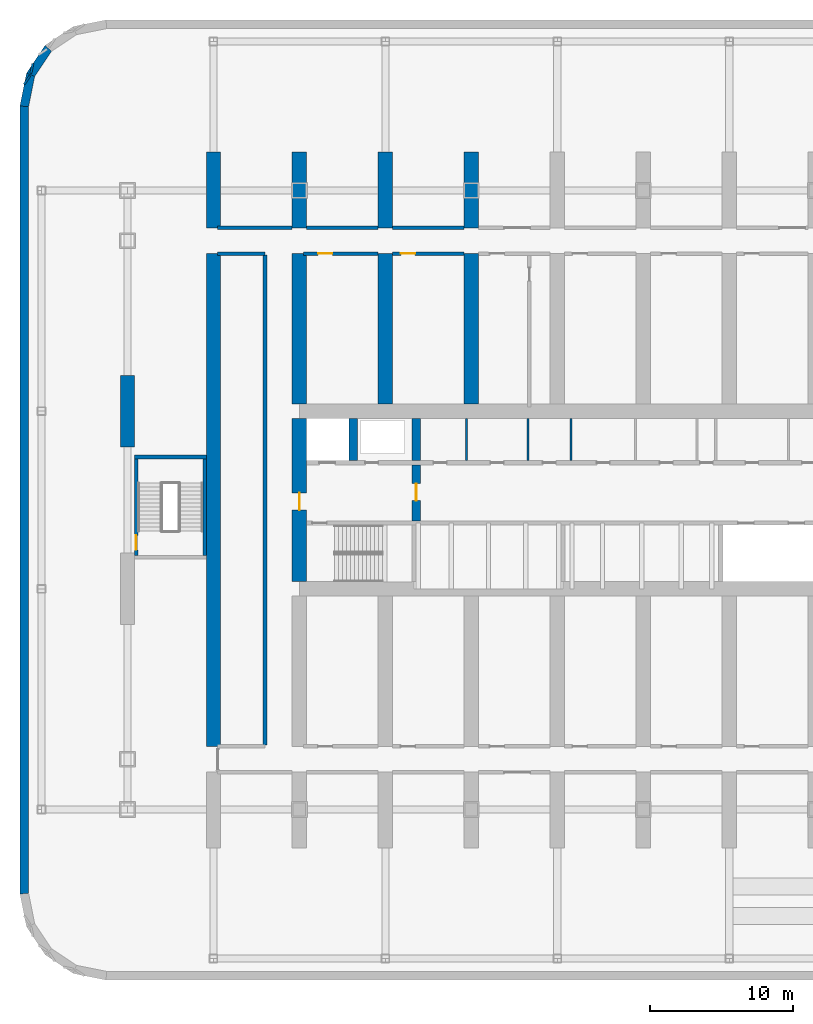
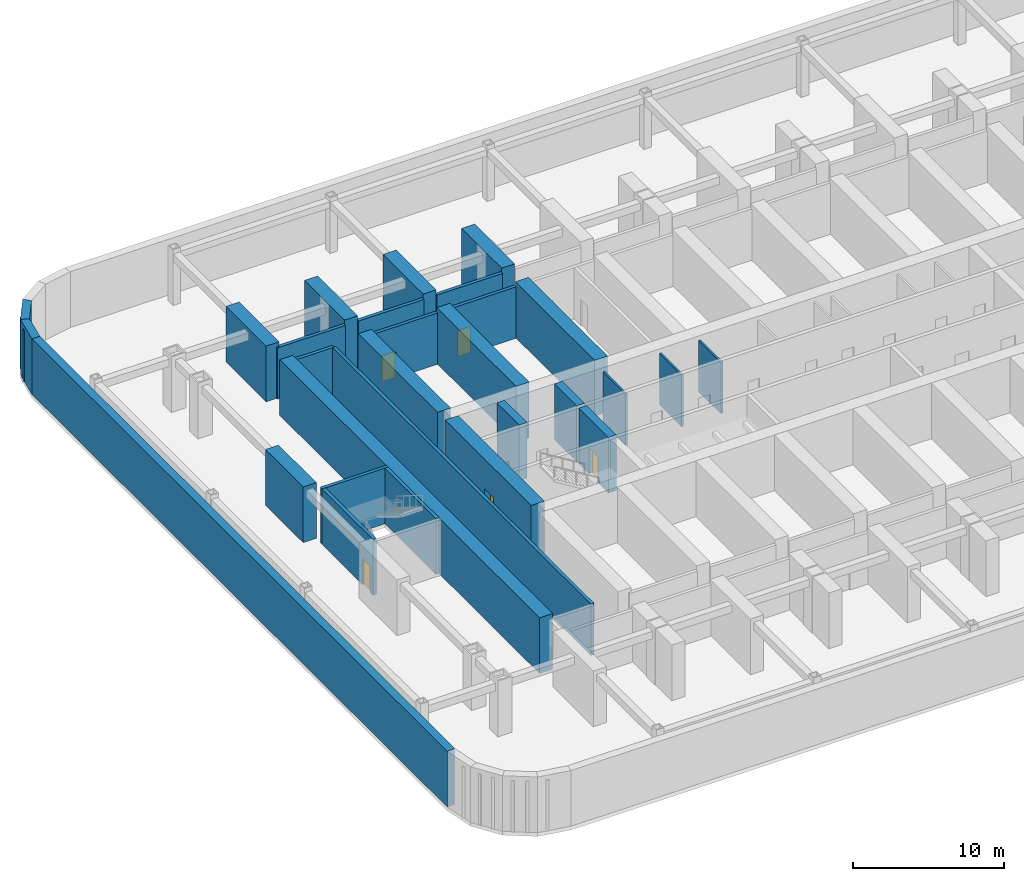
# One storey, part 4 of 16: 31 walls, 5 doors, 5 openings.
"""IFC4 building model written with IfcOpenShell, lengths in metres."""

from ifc_helpers import new_model, si_unit, direction, frame, frame_2d, origin, place, context, subcontext, project, spatial, polyline, rectangle, outline, extrude, material, layer, layer_set, type_object, element, fill, save


model = new_model("IFC4")

# Units and contexts
model_context = context("Model", 3, precision=1e-05, world=origin(), true_north=direction((0.0, 1.0)))
body_context = subcontext(model_context, "Body", "Model", "MODEL_VIEW")
ifc_project = project(units=[si_unit("LENGTHUNIT", "METRE"), si_unit("AREAUNIT", "SQUARE_METRE"), si_unit("VOLUMEUNIT", "CUBIC_METRE"), si_unit("PLANEANGLEUNIT", "RADIAN"), si_unit("MASSUNIT", "GRAM", prefix="KILO")], contexts=[model_context])

# Site, building, storey
site_placement = place(None, origin())
site = spatial("IfcSite", under=ifc_project, at=site_placement, CompositionType="ELEMENT")
building_placement = place(site_placement, origin())
building = spatial("IfcBuilding", under=site, at=building_placement, Name="Orbita Commons", CompositionType="ELEMENT")
storey_placement = place(building_placement, frame((0.0, 0.0, -4.5)))
storey = spatial("IfcBuildingStorey", under=building, at=storey_placement, Name="L-01", CompositionType="ELEMENT", Elevation=-4.5)

# Walls
ifc_material_1 = material(Name="Concrete blockwork", Category="masonry")
ifc_layer_1 = layer(ifc_material_1, 0.25)
ifc_layer_set_1 = layer_set([ifc_layer_1], Name="Concrete blockwork")
wall_type_1 = type_object("IfcWallType", Name="Basement wall 250 blockwork", PredefinedType="SOLIDWALL", material=ifc_layer_set_1)
wall_1_placement = place(storey_placement, frame((12.300048828125, 51.0, 0.0), z_axis=(0.0, 0.0, 1.0), x_axis=(1.0, 0.0, 0.0)))
element("IfcWall", 1, at=wall_1_placement, inside=storey, type_object=wall_type_1, Name="Basement wall 250 blockwork L-01", PredefinedType="SOLIDWALL", context=body_context, shape_type="SweptSolid", body=[
    extrude(rectangle(XDim=5.199951171875, YDim=0.25, at=frame_2d((2.60009765625, 0.0))), origin(), (0.0, 0.0, 1.0), 4.14990234375),
])
for number, where, z_axis, x_axis, name in (
    (2, (18.5, 51.0, 0.0), (0.0, 0.0, 1.0), (1.0, 0.0, 0.0), "Basement wall 250 blockwork L-01"),
    (3, (24.5, 51.0, 0.0), (0.0, 0.0, 1.0), (1.0, 0.0, 0.0), "Basement wall 250 blockwork L-01"),
):
    element("IfcWall", number, at=place(storey_placement, frame(where, z_axis=z_axis, x_axis=x_axis)), inside=storey, type_object=wall_type_1, Name=name, PredefinedType="SOLIDWALL", context=body_context, shape_type="SweptSolid", body=[
        extrude(rectangle(XDim=5.0, YDim=0.25, at=frame_2d((2.5, 0.0))), origin(), (0.0, 0.0, 1.0), 4.14990234375),
    ])
wall_2_placement = place(storey_placement, frame((12.300048828125, 49.199951171875, 0.0), z_axis=(0.0, 0.0, 1.0), x_axis=(1.0, 0.0, 0.0)))
element("IfcWall", 4, at=wall_2_placement, inside=storey, type_object=wall_type_1, Name="Basement wall 250 blockwork L-01", PredefinedType="SOLIDWALL", context=body_context, shape_type="SweptSolid", body=[
    extrude(rectangle(XDim=3.300048828125, YDim=0.25, at=frame_2d((1.64990234375, 0.0))), origin(), (0.0, 0.0, 1.0), 4.14990234375),
])
wall_3_placement = place(storey_placement, frame((15.60009765625, 14.89990234375, 0.0), z_axis=(0.0, 0.0, 1.0), x_axis=(0.0, 1.0, 0.0)))
element("IfcWall", 5, at=wall_3_placement, inside=storey, type_object=wall_type_1, Name="Basement wall 250 blockwork L-01", PredefinedType="SOLIDWALL", context=body_context, shape_type="SweptSolid", body=[
    extrude(rectangle(XDim=34.2001953125, YDim=0.25, at=frame_2d((17.10009765625, 0.0))), origin(), (0.0, 0.0, 1.0), 4.14990234375),
])

# Wall, opening, door
wall_4_placement = place(storey_placement, frame((18.300048828125, 49.199951171875, 0.0), z_axis=(0.0, 0.0, 1.0), x_axis=(1.0, 0.0, 0.0)))
wall_4 = element("IfcWall", 6, at=wall_4_placement, inside=storey, type_object=wall_type_1, Name="Basement wall 250 blockwork L-01", PredefinedType="SOLIDWALL", context=body_context, shape_type="SweptSolid", body=[
    extrude(rectangle(XDim=5.199951171875, YDim=0.25, at=frame_2d((2.60009765625, 0.0))), origin(), (0.0, 0.0, 1.0), 4.14990234375),
])
opening_1_placement = place(wall_4_placement, frame((1.0, 0.0, 0.0)))
opening_1 = element("IfcOpeningElement", 7, at=opening_1_placement, cuts=wall_4, Name="Opening D06", PredefinedType="OPENING", context=body_context, shape_type="SweptSolid", body=[
    extrude(rectangle(XDim=1.0, YDim=2.10009765625, at=frame_2d((0.5, 1.050048828125))), frame((0.0, 0.135009765625, 0.0), z_axis=(0.0, -1.0, 0.0), x_axis=(1.0, 0.0, 0.0)), (0.0, 0.0, 1.0), 0.27001953125),
])
ifc_material_2 = material(Name="Steel-faced fire door leaf", Category="steel")
door_type_1 = type_object("IfcDoorType", Name="Corridor door 20 min 1000x2100", OperationType="SINGLE_SWING_LEFT", PredefinedType="DOOR", material=ifc_material_2)
door_1_placement = place(opening_1_placement, origin())
door_1 = element("IfcDoor", 8, at=door_1_placement, inside=storey, type_object=door_type_1, Name="Room door", OperationType="SINGLE_SWING_LEFT", OverallHeight=2.10009765625, OverallWidth=1.0, PredefinedType="DOOR", context=body_context, shape_type="SweptSolid", body=[
    extrude(rectangle(XDim=1.0, YDim=2.10009765625, at=frame_2d((0.5, 1.050048828125))), frame((0.0, 0.02490234375, 0.0), z_axis=(0.0, -1.0, 0.0), x_axis=(1.0, 0.0, 0.0)), (0.0, 0.0, 1.0), 0.050048828125),
])
fill(opening_1, door_1)

wall_5_placement = place(storey_placement, frame((24.5, 49.199951171875, 0.0), z_axis=(0.0, 0.0, 1.0), x_axis=(1.0, 0.0, 0.0)))
wall_5 = element("IfcWall", 9, at=wall_5_placement, inside=storey, type_object=wall_type_1, Name="Basement wall 250 blockwork L-01", PredefinedType="SOLIDWALL", context=body_context, shape_type="SweptSolid", body=[
    extrude(rectangle(XDim=5.0, YDim=0.25, at=frame_2d((2.5, 0.0))), origin(), (0.0, 0.0, 1.0), 4.14990234375),
])
opening_2_placement = place(wall_5_placement, frame((0.574951171875, 0.0, 0.0)))
opening_2 = element("IfcOpeningElement", 10, at=opening_2_placement, cuts=wall_5, Name="Opening D06", PredefinedType="OPENING", context=body_context, shape_type="SweptSolid", body=[
    extrude(rectangle(XDim=1.0, YDim=2.10009765625, at=frame_2d((0.5, 1.050048828125))), frame((0.0, 0.135009765625, 0.0), z_axis=(0.0, -1.0, 0.0), x_axis=(1.0, 0.0, 0.0)), (0.0, 0.0, 1.0), 0.27001953125),
])
door_2_placement = place(opening_2_placement, origin())
door_2 = element("IfcDoor", 11, at=door_2_placement, inside=storey, type_object=door_type_1, Name="Room door", OperationType="SINGLE_SWING_LEFT", OverallHeight=2.10009765625, OverallWidth=1.0, PredefinedType="DOOR", context=body_context, shape_type="SweptSolid", body=[
    extrude(rectangle(XDim=1.0, YDim=2.10009765625, at=frame_2d((0.5, 1.050048828125))), frame((0.0, 0.02490234375, 0.0), z_axis=(0.0, -1.0, 0.0), x_axis=(1.0, 0.0, 0.0)), (0.0, 0.0, 1.0), 0.050048828125),
])
fill(opening_2, door_2)

ifc_material_3 = material(Name="Concrete C50/60", Category="concrete")
ifc_layer_2 = layer(ifc_material_3, 0.60009765625)
ifc_layer_set_2 = layer_set([ifc_layer_2], Name="Concrete C50/60")
wall_type_2 = type_object("IfcWallType", Name="Core inner wall 600 C50/60", PredefinedType="SHEAR", material=ifc_layer_set_2)
wall_6_placement = place(storey_placement, frame((26.14990234375, 30.550048828125, 0.0), z_axis=(0.0, 0.0, 1.0), x_axis=(0.0, 1.0, 0.0)))
wall_6 = element("IfcWall", 12, at=wall_6_placement, inside=storey, type_object=wall_type_2, Name="Firefighting lobby wall west L-01", PredefinedType="SHEAR", context=body_context, shape_type="SweptSolid", body=[
    extrude(rectangle(XDim=3.89990234375, YDim=0.60009765625, at=frame_2d((1.949951171875, 0.0))), origin(), (0.0, 0.0, 1.0), 4.5),
])
opening_3_placement = place(wall_6_placement, frame((1.39990234375, 0.0, 0.0)))
opening_3 = element("IfcOpeningElement", 13, at=opening_3_placement, cuts=wall_6, Name="Opening D04", PredefinedType="OPENING", context=body_context, shape_type="SweptSolid", body=[
    extrude(rectangle(XDim=1.199951171875, YDim=2.10009765625, at=frame_2d((0.60009765625, 1.050048828125))), frame((0.0, 0.31005859375, 0.0), z_axis=(0.0, -1.0, 0.0), x_axis=(1.0, 0.0, 0.0)), (0.0, 0.0, 1.0), 0.6201171875),
])
ifc_material_4 = material(Name="Steel-faced fire door leaf", Category="steel")
door_type_2 = type_object("IfcDoorType", Name="Service door 20 min 1200x2100", OperationType="SINGLE_SWING_LEFT", PredefinedType="DOOR", material=ifc_material_4)
door_3_placement = place(opening_3_placement, origin())
door_3 = element("IfcDoor", 14, at=door_3_placement, inside=storey, type_object=door_type_2, Name="Lift lobby door west", OperationType="SINGLE_SWING_LEFT", OverallHeight=2.10009765625, OverallWidth=1.199951171875, PredefinedType="DOOR", context=body_context, shape_type="SweptSolid", body=[
    extrude(rectangle(XDim=1.199951171875, YDim=2.10009765625, at=frame_2d((0.60009765625, 1.050048828125))), frame((0.0, 0.02490234375, 0.0), z_axis=(0.0, -1.0, 0.0), x_axis=(1.0, 0.0, 0.0)), (0.0, 0.0, 1.0), 0.050048828125),
])
fill(opening_3, door_3)

# Walls
for number, where, z_axis, x_axis, name in (
    (15, (21.75, 34.75, 0.0), (0.0, 0.0, 1.0), (0.0, 1.0, 0.0), "Firefighting lift FL1 shaft wall L-01"),
    (16, (26.14990234375, 34.75, 0.0), (0.0, 0.0, 1.0), (0.0, 1.0, 0.0), "Riser wall west L-01"),
):
    element("IfcWall", number, at=place(storey_placement, frame(where, z_axis=z_axis, x_axis=x_axis)), inside=storey, type_object=wall_type_2, Name=name, PredefinedType="SHEAR", context=body_context, shape_type="SweptSolid", body=[
        extrude(rectangle(XDim=2.949951171875, YDim=0.60009765625, at=frame_2d((1.47509765625, 0.0))), origin(), (0.0, 0.0, 1.0), 4.5),
    ])
ifc_material_5 = material(Name="Concrete blockwork", Category="masonry")
ifc_layer_3 = layer(ifc_material_5, 0.14990234375)
ifc_layer_set_3 = layer_set([ifc_layer_3], Name="Concrete blockwork")
wall_type_3 = type_object("IfcWallType", Name="Core partition 150 blockwork", PredefinedType="SOLIDWALL", material=ifc_layer_set_3)
for number, where, z_axis, x_axis, name in (
    (17, (29.65087890625, 34.75, 0.0), (0.0, 0.0, 1.0), (0.0, 1.0, 0.0), "Core partition 150 blockwork L-01"),
    (18, (33.9462890625, 34.75, 0.0), (0.0, 0.0, 1.0), (0.0, 1.0, 0.0), "Core partition 150 blockwork L-01"),
    (19, (36.9462890625, 34.75, 0.0), (0.0, 0.0, 1.0), (0.0, 1.0, 0.0), "Core partition 150 blockwork L-01"),
):
    element("IfcWall", number, at=place(storey_placement, frame(where, z_axis=z_axis, x_axis=x_axis)), inside=storey, type_object=wall_type_3, Name=name, PredefinedType="SOLIDWALL", context=body_context, shape_type="SweptSolid", body=[
        extrude(rectangle(XDim=2.949951171875, YDim=0.14990234375, at=frame_2d((1.47509765625, 0.0))), origin(), (0.0, 0.0, 1.0), 4.14990234375),
    ])

# Wall, opening, door
ifc_material_6 = material(Name="Concrete C50/60", Category="concrete")
ifc_layer_4 = layer(ifc_material_6, 1.0)
ifc_layer_set_4 = layer_set([ifc_layer_4], Name="Concrete C50/60")
wall_type_4 = type_object("IfcWallType", Name="Core wall 1000 C50/60", PredefinedType="SHEAR", material=ifc_layer_set_4)
wall_7_placement = place(storey_placement, frame((18.0, 26.300048828125, 0.0), z_axis=(0.0, 0.0, 1.0), x_axis=(0.0, 1.0, 0.0)))
wall_7 = element("IfcWall", 20, at=wall_7_placement, inside=storey, type_object=wall_type_4, Name="Core end wall west L-01", PredefinedType="SHEAR", context=body_context, shape_type="SweptSolid", body=[
    extrude(rectangle(XDim=11.39990234375, YDim=1.0, at=frame_2d((5.699951171875, 0.0))), origin(), (0.0, 0.0, 1.0), 4.5),
])
opening_4_placement = place(wall_7_placement, frame((5.0, 0.0, 0.0)))
opening_4 = element("IfcOpeningElement", 21, at=opening_4_placement, cuts=wall_7, Name="Opening D01", PredefinedType="OPENING", context=body_context, shape_type="SweptSolid", body=[
    extrude(rectangle(XDim=1.199951171875, YDim=2.10009765625, at=frame_2d((0.60009765625, 1.050048828125))), frame((0.0, 0.510009765625, 0.0), z_axis=(0.0, -1.0, 0.0), x_axis=(1.0, 0.0, 0.0)), (0.0, 0.0, 1.0), 1.02001953125),
])
ifc_material_7 = material(Name="Steel-faced fire door leaf", Category="steel")
door_type_3 = type_object("IfcDoorType", Name="Fire door 90 min 1200x2100", OperationType="SINGLE_SWING_LEFT", PredefinedType="DOOR", material=ifc_material_7)
door_4_placement = place(opening_4_placement, origin())
door_4 = element("IfcDoor", 22, at=door_4_placement, inside=storey, type_object=door_type_3, Name="Firefighting lobby west door", OperationType="SINGLE_SWING_LEFT", OverallHeight=2.10009765625, OverallWidth=1.199951171875, PredefinedType="DOOR", context=body_context, shape_type="SweptSolid", body=[
    extrude(rectangle(XDim=1.199951171875, YDim=2.10009765625, at=frame_2d((0.60009765625, 1.050048828125))), frame((0.0, 0.02490234375, 0.0), z_axis=(0.0, -1.0, 0.0), x_axis=(1.0, 0.0, 0.0)), (0.0, 0.0, 1.0), 0.050048828125),
])
fill(opening_4, door_4)

# Walls
ifc_material_8 = material(Name="Concrete C50/60", Category="concrete")
ifc_layer_5 = layer(ifc_material_8, 1.0)
ifc_layer_set_5 = layer_set([ifc_layer_5], Name="Concrete C50/60")
wall_type_5 = type_object("IfcWallType", Name="Cross wall 1000 C50/60", PredefinedType="SHEAR", material=ifc_layer_set_5)
wall_8_placement = place(storey_placement, frame((12.0, 51.0, 0.0), z_axis=(0.0, 0.0, 1.0), x_axis=(0.0, 1.0, 0.0)))
element("IfcWall", 23, at=wall_8_placement, inside=storey, type_object=wall_type_5, Name="Cross wall 3 north outer L-01", PredefinedType="SHEAR", context=body_context, shape_type="SweptSolid", body=[
    extrude(rectangle(XDim=5.300048828125, YDim=1.0, at=frame_2d((2.64990234375, 0.0))), origin(), (0.0, 0.0, 1.0), 4.5),
])
wall_9_placement = place(storey_placement, frame((12.0, 14.800048828125, 0.0), z_axis=(0.0, 0.0, 1.0), x_axis=(0.0, 1.0, 0.0)))
element("IfcWall", 24, at=wall_9_placement, inside=storey, type_object=wall_type_5, Name="Cross wall 3 inner L-01", PredefinedType="SHEAR", context=body_context, shape_type="SweptSolid", body=[
    extrude(rectangle(XDim=34.39990234375, YDim=1.0, at=frame_2d((17.199951171875, 0.0))), origin(), (0.0, 0.0, 1.0), 4.5),
])
wall_10_placement = place(storey_placement, frame((18.0, 51.0, 0.0), z_axis=(0.0, 0.0, 1.0), x_axis=(0.0, 1.0, 0.0)))
element("IfcWall", 25, at=wall_10_placement, inside=storey, type_object=wall_type_5, Name="Cross wall 4 north outer L-01", PredefinedType="SHEAR", context=body_context, shape_type="SweptSolid", body=[
    extrude(rectangle(XDim=5.300048828125, YDim=1.0, at=frame_2d((2.64990234375, 0.0))), origin(), (0.0, 0.0, 1.0), 4.5),
])
wall_11_placement = place(storey_placement, frame((18.0, 38.699951171875, 0.0), z_axis=(0.0, 0.0, 1.0), x_axis=(0.0, 1.0, 0.0)))
element("IfcWall", 26, at=wall_11_placement, inside=storey, type_object=wall_type_5, Name="Cross wall 4 north inner L-01", PredefinedType="SHEAR", context=body_context, shape_type="SweptSolid", body=[
    extrude(rectangle(XDim=10.5, YDim=1.0, at=frame_2d((5.25, 0.0))), origin(), (0.0, 0.0, 1.0), 4.5),
])
wall_12_placement = place(storey_placement, frame((24.0, 51.0, 0.0), z_axis=(0.0, 0.0, 1.0), x_axis=(0.0, 1.0, 0.0)))
element("IfcWall", 27, at=wall_12_placement, inside=storey, type_object=wall_type_5, Name="Cross wall 5 north outer L-01", PredefinedType="SHEAR", context=body_context, shape_type="SweptSolid", body=[
    extrude(rectangle(XDim=5.300048828125, YDim=1.0, at=frame_2d((2.64990234375, 0.0))), origin(), (0.0, 0.0, 1.0), 4.5),
])
wall_13_placement = place(storey_placement, frame((24.0, 38.699951171875, 0.0), z_axis=(0.0, 0.0, 1.0), x_axis=(0.0, 1.0, 0.0)))
element("IfcWall", 28, at=wall_13_placement, inside=storey, type_object=wall_type_5, Name="Cross wall 5 north inner L-01", PredefinedType="SHEAR", context=body_context, shape_type="SweptSolid", body=[
    extrude(rectangle(XDim=10.5, YDim=1.0, at=frame_2d((5.25, 0.0))), origin(), (0.0, 0.0, 1.0), 4.5),
])
wall_14_placement = place(storey_placement, frame((30.0, 51.0, 0.0), z_axis=(0.0, 0.0, 1.0), x_axis=(0.0, 1.0, 0.0)))
element("IfcWall", 29, at=wall_14_placement, inside=storey, type_object=wall_type_5, Name="Cross wall 6 north outer L-01", PredefinedType="SHEAR", context=body_context, shape_type="SweptSolid", body=[
    extrude(rectangle(XDim=5.300048828125, YDim=1.0, at=frame_2d((2.64990234375, 0.0))), origin(), (0.0, 0.0, 1.0), 4.5),
])
wall_15_placement = place(storey_placement, frame((30.0, 38.699951171875, 0.0), z_axis=(0.0, 0.0, 1.0), x_axis=(0.0, 1.0, 0.0)))
element("IfcWall", 30, at=wall_15_placement, inside=storey, type_object=wall_type_5, Name="Cross wall 6 north inner L-01", PredefinedType="SHEAR", context=body_context, shape_type="SweptSolid", body=[
    extrude(rectangle(XDim=10.5, YDim=1.0, at=frame_2d((5.25, 0.0))), origin(), (0.0, 0.0, 1.0), 4.5),
])
ifc_material_9 = material(Name="Concrete C50/60", Category="concrete")
ifc_layer_6 = layer(ifc_material_9, 1.0)
ifc_layer_set_6 = layer_set([ifc_layer_6], Name="Concrete C50/60")
wall_type_6 = type_object("IfcWallType", Name="End pier 1000x5000 C50/60", PredefinedType="SHEAR", material=ifc_layer_set_6)
wall_16_placement = place(storey_placement, frame((6.0, 35.699951171875, 0.0), z_axis=(0.0, 0.0, 1.0), x_axis=(0.0, 1.0, 0.0)))
element("IfcWall", 31, at=wall_16_placement, inside=storey, type_object=wall_type_6, Name="End pier 2/D L-01", PredefinedType="SHEAR", context=body_context, shape_type="SweptSolid", body=[
    extrude(rectangle(XDim=5.0, YDim=1.0, at=frame_2d((2.5, 0.0))), origin(), (0.0, 0.0, 1.0), 4.5),
])
ifc_material_10 = material(Name="Gypsum plasterboard on steel studs", Category="steel")
ifc_layer_7 = layer(ifc_material_10, 0.14990234375)
ifc_layer_set_7 = layer_set([ifc_layer_7], Name="Gypsum plasterboard on steel studs")
wall_type_7 = type_object("IfcWallType", Name="Partition 150 plasterboard", PredefinedType="PARTITIONING", material=ifc_layer_set_7)
wall_17_placement = place(storey_placement, frame((-0.816162109375, 61.595947265625, 0.0), z_axis=(0.0, 0.0, 1.0), x_axis=(-0.555500141576, -0.831516441635, 0.0)))
element("IfcWall", 32, at=wall_17_placement, inside=storey, type_object=wall_type_7, Name="Partition 150 plasterboard L-01", PredefinedType="PARTITIONING", context=body_context, shape_type="SweptSolid", body=[
    extrude(rectangle(XDim=0.7041015625, YDim=0.14990234375, at=frame_2d((0.35205078125, 0.0))), origin(), (0.0, 0.0, 1.0), 4.14990234375),
])
wall_18_placement = place(storey_placement, frame((-0.7412109375, 61.777099609375, 0.0), z_axis=(0.0, 0.0, 1.0), x_axis=(0.195249055569, 0.980753692983, 0.0)))
element("IfcWall", 33, at=wall_18_placement, inside=storey, type_object=wall_type_7, Name="Partition 150 plasterboard L-01", PredefinedType="PARTITIONING", context=body_context, shape_type="SweptSolid", body=[
    extrude(rectangle(XDim=0.703857421875, YDim=0.14990234375, at=frame_2d((0.35205078125, 0.0))), origin(), (0.0, 0.0, 1.0), 4.14990234375),
])
ifc_material_11 = material(Name="Concrete C50/60", Category="concrete")
ifc_layer_8 = layer(ifc_material_11, 0.25)
ifc_layer_set_8 = layer_set([ifc_layer_8], Name="Concrete C50/60")
wall_type_8 = type_object("IfcWallType", Name="Podium stair wall 250 RC", PredefinedType="SHEAR", material=ifc_layer_set_8)
wall_19_placement = place(storey_placement, frame((11.39990234375, 28.125, 0.0), z_axis=(0.0, 0.0, 1.0), x_axis=(0.0, 1.0, 0.0)))
element("IfcWall", 34, at=wall_19_placement, inside=storey, type_object=wall_type_8, Name="Podium stair PS1 wall e L-01", PredefinedType="SHEAR", context=body_context, shape_type="SweptSolid", body=[
    extrude(rectangle(XDim=6.75, YDim=0.25, at=frame_2d((3.375, 0.0))), origin(), (0.0, 0.0, 1.0), 4.5),
])
wall_20_placement = place(storey_placement, frame((11.52490234375, 35.0, 0.0), z_axis=(0.0, 0.0, 1.0), x_axis=(-1.0, 0.0, 0.0)))
element("IfcWall", 35, at=wall_20_placement, inside=storey, type_object=wall_type_8, Name="Podium stair PS1 wall n L-01", PredefinedType="SHEAR", context=body_context, shape_type="SweptSolid", body=[
    extrude(rectangle(XDim=5.0498046875, YDim=0.25, at=frame_2d((2.52490234375, 0.0))), origin(), (0.0, 0.0, 1.0), 4.5),
])

# Wall, opening, door
wall_21_placement = place(storey_placement, frame((6.60009765625, 34.875, 0.0), z_axis=(0.0, 0.0, 1.0), x_axis=(0.0, -1.0, 0.0)))
wall_21 = element("IfcWall", 36, at=wall_21_placement, inside=storey, type_object=wall_type_8, Name="Podium stair PS1 wall w L-01", PredefinedType="SHEAR", context=body_context, shape_type="SweptSolid", body=[
    extrude(rectangle(XDim=6.75, YDim=0.25, at=frame_2d((3.375, 0.0))), origin(), (0.0, 0.0, 1.0), 4.5),
])
opening_5_placement = place(wall_21_placement, frame((5.35009765625, 0.0, 0.0)))
opening_5 = element("IfcOpeningElement", 37, at=opening_5_placement, cuts=wall_21, Name="Opening D02", PredefinedType="OPENING", context=body_context, shape_type="SweptSolid", body=[
    extrude(rectangle(XDim=1.0, YDim=2.10009765625, at=frame_2d((0.5, 1.050048828125))), frame((0.0, 0.135009765625, 0.0), z_axis=(0.0, -1.0, 0.0), x_axis=(1.0, 0.0, 0.0)), (0.0, 0.0, 1.0), 0.27001953125),
])
ifc_material_12 = material(Name="Steel-faced fire door leaf", Category="steel")
door_type_4 = type_object("IfcDoorType", Name="Fire door 90 min 1000x2100", OperationType="SINGLE_SWING_LEFT", PredefinedType="DOOR", material=ifc_material_12)
door_5_placement = place(opening_5_placement, origin())
door_5 = element("IfcDoor", 38, at=door_5_placement, inside=storey, type_object=door_type_4, Name="Podium exit stair PS1 door", OperationType="SINGLE_SWING_LEFT", OverallHeight=2.10009765625, OverallWidth=1.0, PredefinedType="DOOR", context=body_context, shape_type="SweptSolid", body=[
    extrude(rectangle(XDim=1.0, YDim=2.10009765625, at=frame_2d((0.5, 1.050048828125))), frame((0.0, 0.02490234375, 0.0), z_axis=(0.0, -1.0, 0.0), x_axis=(1.0, 0.0, 0.0)), (0.0, 0.0, 1.0), 0.050048828125),
])
fill(opening_5, door_5)

# Walls
ifc_material_13 = material(Name="Concrete C50/60", Category="concrete")
ifc_layer_9 = layer(ifc_material_13, 0.60009765625)
ifc_layer_set_9 = layer_set([ifc_layer_9], Name="Concrete C50/60")
wall_type_9 = type_object("IfcWallType", Name="Retaining wall 600 C50/60", PredefinedType="SOLIDWALL", material=ifc_layer_set_9)
wall_22_placement = place(storey_placement, frame((0.4736328125, 63.5263671875, 0.0), z_axis=(0.0, 0.0, 1.0), x_axis=(-0.555562047437, -0.831475081676, 0.0)))
element("IfcWall", 39, at=wall_22_placement, inside=storey, type_object=wall_type_9, Name="Basement retaining wall L-01 13", PredefinedType="SOLIDWALL", context=body_context, shape_type="SweptSolid", body=[
    extrude(outline(polyline([(-0.0595703125, -0.300048828125), (2.281494140625, -0.300048828125), (2.162353515625, 0.300048828125), (0.0595703125, 0.300048828125), (-0.0595703125, -0.300048828125)])), origin(), (0.0, 0.0, 1.0), 4.5),
])
wall_23_placement = place(storey_placement, frame((-0.7607421875, 61.678955078125, 0.0), z_axis=(0.0, 0.0, 1.0), x_axis=(-0.195052642224, -0.980792774628, 0.0)))
element("IfcWall", 40, at=wall_23_placement, inside=storey, type_object=wall_type_9, Name="Basement retaining wall L-01 14", PredefinedType="SOLIDWALL", context=body_context, shape_type="SweptSolid", body=[
    extrude(outline(polyline([(-0.0595703125, -0.300048828125), (2.28125, -0.300048828125), (2.22216796875, 0.300048828125), (0.0595703125, 0.300048828125), (-0.0595703125, -0.300048828125)])), origin(), (0.0, 0.0, 1.0), 4.5),
])
wall_24_placement = place(storey_placement, frame((-1.199951171875, 59.470458984375, 0.0), z_axis=(0.0, 0.0, 1.0), x_axis=(0.0, -1.0, 0.0)))
element("IfcWall", 41, at=wall_24_placement, inside=storey, type_object=wall_type_9, Name="Basement retaining wall L-01 15", PredefinedType="SOLIDWALL", context=body_context, shape_type="SweptSolid", body=[
    extrude(outline(polyline([(-0.029541015625, -0.300048828125), (54.970458984375, -0.300048828125), (54.911376953125, 0.300048828125), (0.029541015625, 0.300048828125), (-0.029541015625, -0.300048828125)])), origin(), (0.0, 0.0, 1.0), 4.5),
])

save(model, "model.ifc")
